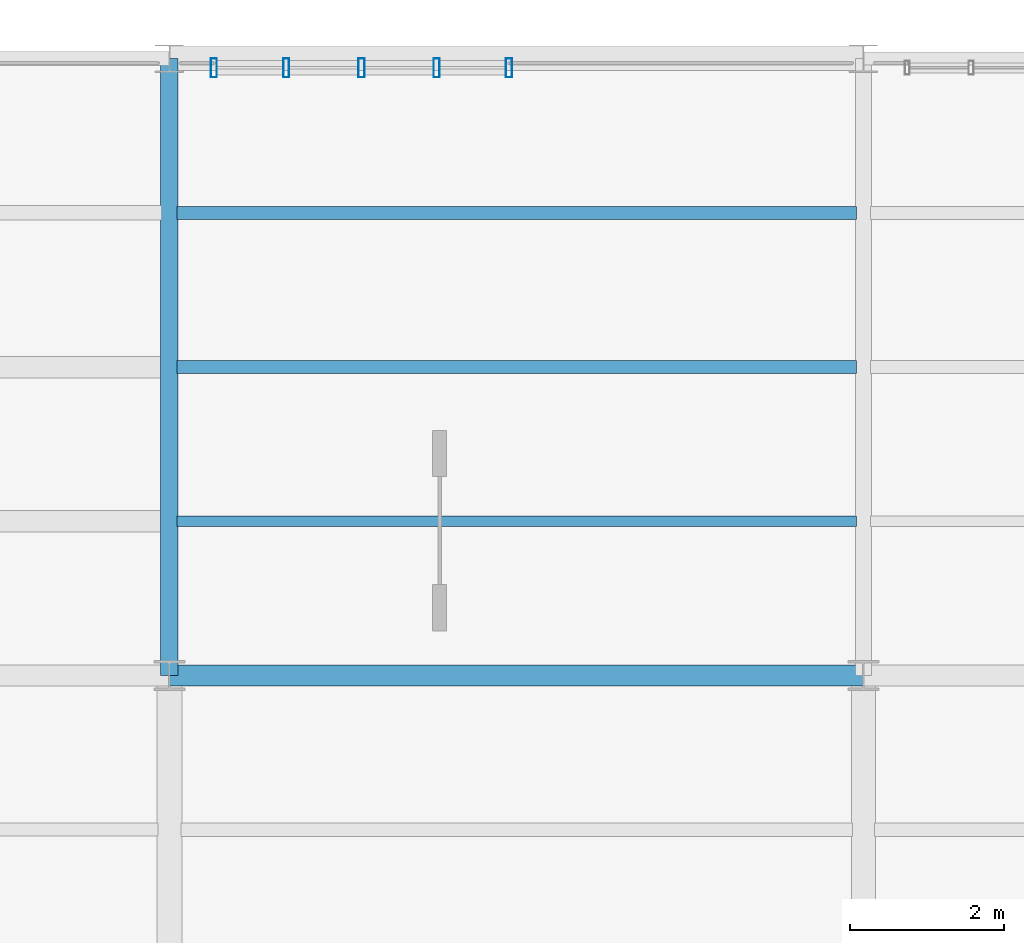
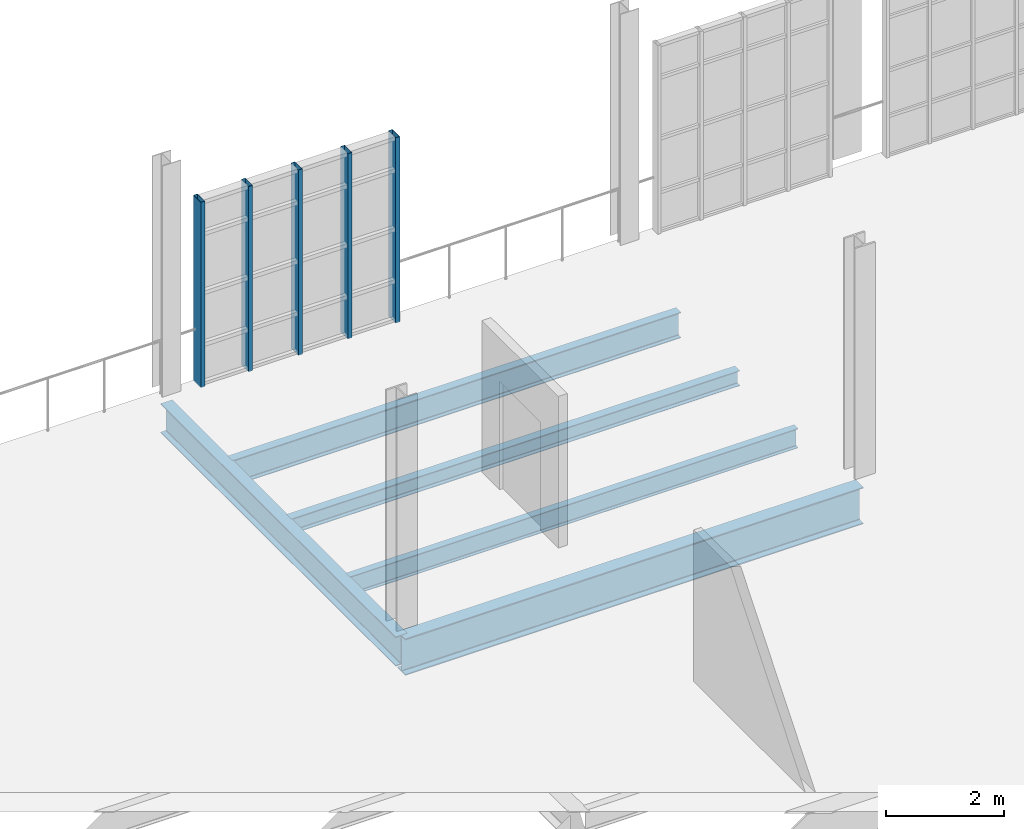
# One storey, part 66 of 118: 5 beams, 5 members, 1 element without a shape of its own.
"""IFC4 building model written with IfcOpenShell, lengths in metres."""

from ifc_helpers import new_model, si_unit, direction, frame, origin, origin_2d, place, context, subcontext, project, spatial, hollow_rectangle, i_section, extrude, material, layer, layer_set, material_profile, profile_set, type_object, element, aggregate, save


model = new_model("IFC4")

# Units and contexts
model_context = context("Model", 3, precision=1e-05, world=origin(), true_north=direction((0.0, 1.0)))
body_context = subcontext(model_context, "Body", "Model", "MODEL_VIEW")
ifc_project = project(units=[si_unit("LENGTHUNIT", "METRE"), si_unit("AREAUNIT", "SQUARE_METRE"), si_unit("VOLUMEUNIT", "CUBIC_METRE"), si_unit("PLANEANGLEUNIT", "RADIAN"), si_unit("MASSUNIT", "GRAM", prefix="KILO"), si_unit("THERMODYNAMICTEMPERATUREUNIT", "KELVIN"), si_unit("POWERUNIT", "WATT")], contexts=[model_context])

# Site, building, storey
site_placement = place(None, origin())
site = spatial("IfcSite", under=ifc_project, at=site_placement, CompositionType="ELEMENT")
building_placement = place(site_placement, origin())
building = spatial("IfcBuilding", under=site, at=building_placement, Name="Zelmaris Science Centre", CompositionType="ELEMENT")
storey_placement = place(building_placement, frame((0.0, 0.0, 15.60009765625)))
storey = spatial("IfcBuildingStorey", under=building, at=storey_placement, Name="L03", CompositionType="ELEMENT", Elevation=15.60009765625)

# Curtain wall, members
ifc_material_1 = material(Name="Anodised architectural aluminium 6063-T6", Category="aluminium")
ifc_layer = layer(ifc_material_1, 0.18994140625, Name="Anodised architectural aluminium 6063-T6")
ifc_layer_set = layer_set([ifc_layer], Name="Anodised architectural aluminium 6063-T6")
curtain_wall_type = type_object("IfcCurtainWallType", Name="Curtain Wall CW-01", PredefinedType="USERDEFINED", material=ifc_layer_set)
curtain_wall_placement = place(storey_placement, origin())
curtain_wall = element("IfcCurtainWall", 1, at=curtain_wall_placement, inside=storey, type_object=curtain_wall_type, Name="L03 Unitised curtain wall 285", ObjectType="GLAZED CURTAIN WALL", PredefinedType="USERDEFINED")
ifc_material_profile_1 = material_profile(ifc_material_1, hollow_rectangle(XDim=0.080078125, YDim=0.25, WallThickness=0.0048828125, at=origin_2d()), Name="ALU-MUL-80X250")
ifc_profile_set_1 = profile_set([ifc_material_profile_1], Name="Anodised architectural aluminium 6063-T6")
member_type = type_object("IfcMemberType", Name="ALU-MUL-80X250", PredefinedType="MULLION", material=ifc_profile_set_1)
member_1_placement = place(storey_placement, frame((81.575927734375, 87.8798828125, -0.01513671875), z_axis=(0.0, 0.0, 1.0), x_axis=(1.0, 0.0, 0.0)))
member_1 = element("IfcMember", 2, at=member_1_placement, type_object=member_type, Name="CW-01 mullion 1", PredefinedType="MULLION", context=body_context, shape_type="SweptSolid", body=[
    extrude(hollow_rectangle(XDim=0.080078125, YDim=0.25, WallThickness=0.0048828125, at=origin_2d()), origin(), (0.0, 0.0, 1.0), 3.85205078125),
])
member_2_placement = place(storey_placement, frame((82.514892578125, 87.8798828125, -0.01513671875), z_axis=(0.0, 0.0, 1.0), x_axis=(1.0, 0.0, 0.0)))
member_2 = element("IfcMember", 3, at=member_2_placement, type_object=member_type, Name="CW-01 mullion 2", PredefinedType="MULLION", context=body_context, shape_type="SweptSolid", body=[
    extrude(hollow_rectangle(XDim=0.080078125, YDim=0.25, WallThickness=0.0048828125, at=origin_2d()), origin(), (0.0, 0.0, 1.0), 3.85205078125),
])
member_3_placement = place(storey_placement, frame((83.489990234375, 87.8798828125, -0.01513671875), z_axis=(0.0, 0.0, 1.0), x_axis=(1.0, 0.0, 0.0)))
member_3 = element("IfcMember", 4, at=member_3_placement, type_object=member_type, Name="CW-01 mullion 3", PredefinedType="MULLION", context=body_context, shape_type="SweptSolid", body=[
    extrude(hollow_rectangle(XDim=0.080078125, YDim=0.25, WallThickness=0.0048828125, at=origin_2d()), origin(), (0.0, 0.0, 1.0), 3.85205078125),
])
member_4_placement = place(storey_placement, frame((84.465087890625, 87.8798828125, -0.01513671875), z_axis=(0.0, 0.0, 1.0), x_axis=(1.0, 0.0, 0.0)))
member_4 = element("IfcMember", 5, at=member_4_placement, type_object=member_type, Name="CW-01 mullion 4", PredefinedType="MULLION", context=body_context, shape_type="SweptSolid", body=[
    extrude(hollow_rectangle(XDim=0.080078125, YDim=0.25, WallThickness=0.0048828125, at=origin_2d()), origin(), (0.0, 0.0, 1.0), 3.85205078125),
])
member_5_placement = place(storey_placement, frame((85.404052734375, 87.8798828125, -0.01513671875), z_axis=(0.0, 0.0, 1.0), x_axis=(1.0, 0.0, 0.0)))
member_5 = element("IfcMember", 6, at=member_5_placement, type_object=member_type, Name="CW-01 mullion 5", PredefinedType="MULLION", context=body_context, shape_type="SweptSolid", body=[
    extrude(hollow_rectangle(XDim=0.080078125, YDim=0.25, WallThickness=0.0048828125, at=origin_2d()), origin(), (0.0, 0.0, 1.0), 3.85205078125),
])
aggregate(curtain_wall, [member_1, member_2, member_3, member_4, member_5])

# Beams
ifc_material_2 = material(Name="Steel ASTM A992 Grade 50", Category="steel")
ifc_material_profile_2 = material_profile(ifc_material_2, i_section(OverallWidth=0.22900390625, OverallDepth=0.612060546875, WebThickness=0.011962890625, FlangeThickness=0.01953125, FilletRadius=0.014892578125, at=origin_2d()), Name="W24X84")
ifc_profile_set_2 = profile_set([ifc_material_profile_2], Name="Steel ASTM A992 Grade 50")
beam_type_1 = type_object("IfcBeamType", Name="Beam G-16 W24X84", PredefinedType="BEAM", material=ifc_profile_set_2)
beam_1_placement = place(storey_placement, frame((81.0, 80.0, -0.566162109375), z_axis=(0.0, 1.0, 0.0), x_axis=(-1.0, 0.0, 0.0)))
element("IfcBeam", 7, at=beam_1_placement, inside=storey, type_object=beam_type_1, Name="L03 North-south girder 691", PredefinedType="BEAM", context=body_context, shape_type="SweptSolid", body=[
    extrude(i_section(OverallWidth=0.22900390625, OverallDepth=0.612060546875, WebThickness=0.011962890625, FlangeThickness=0.01953125, FilletRadius=0.014892578125, at=origin_2d()), origin(), (0.0, 0.0, 1.0), 8.0),
])
ifc_material_profile_3 = material_profile(ifc_material_2, i_section(OverallWidth=0.26708984375, OverallDepth=0.761962890625, WebThickness=0.014404296875, FlangeThickness=0.021484375, FilletRadius=0.01904296875, at=origin_2d()), Name="W30X116")
ifc_profile_set_3 = profile_set([ifc_material_profile_3], Name="Steel ASTM A992 Grade 50")
beam_type_2 = type_object("IfcBeamType", Name="Beam G-33 W30X116", PredefinedType="BEAM", material=ifc_profile_set_3)
beam_2_placement = place(storey_placement, frame((81.0, 80.0, -0.64111328125), z_axis=(1.0, 0.0, 0.0), x_axis=(0.0, 1.0, 0.0)))
element("IfcBeam", 8, at=beam_2_placement, inside=storey, type_object=beam_type_2, Name="L03 East-west girder 766", PredefinedType="BEAM", context=body_context, shape_type="SweptSolid", body=[
    extrude(i_section(OverallWidth=0.26708984375, OverallDepth=0.761962890625, WebThickness=0.014404296875, FlangeThickness=0.021484375, FilletRadius=0.01904296875, at=origin_2d()), origin(), (0.0, 0.0, 1.0), 9.0),
])
ifc_material_profile_4 = material_profile(ifc_material_2, i_section(OverallWidth=0.16796875, OverallDepth=0.532958984375, WebThickness=0.01025390625, FlangeThickness=0.0166015625, FilletRadius=0.013916015625, at=origin_2d()), Name="W21X57")
ifc_profile_set_4 = profile_set([ifc_material_profile_4], Name="Steel ASTM A992 Grade 50")
beam_type_3 = type_object("IfcBeamType", Name="Beam J-01 W21X57", PredefinedType="JOIST", material=ifc_profile_set_4)
beam_3_placement = place(storey_placement, frame((81.099609375, 86.0, -0.526611328125), z_axis=(1.0, 0.0, 0.0), x_axis=(0.0, 1.0, 0.0)))
element("IfcBeam", 9, at=beam_3_placement, inside=storey, type_object=beam_type_3, Name="L03 Composite floor joist 333", PredefinedType="JOIST", context=body_context, shape_type="SweptSolid", body=[
    extrude(i_section(OverallWidth=0.16796875, OverallDepth=0.532958984375, WebThickness=0.01025390625, FlangeThickness=0.0166015625, FilletRadius=0.013916015625, at=origin_2d()), origin(), (0.0, 0.0, 1.0), 8.809814453125),
])
ifc_material_profile_5 = material_profile(ifc_material_2, i_section(OverallWidth=0.139892578125, OverallDepth=0.404052734375, WebThickness=0.007080078125, FlangeThickness=0.01123046875, FilletRadius=0.011962890625, at=origin_2d()), Name="W16X31")
ifc_profile_set_5 = profile_set([ifc_material_profile_5], Name="Steel ASTM A992 Grade 50")
beam_type_4 = type_object("IfcBeamType", Name="Beam J-08 W16X31", PredefinedType="JOIST", material=ifc_profile_set_5)
beam_4_placement = place(storey_placement, frame((81.099609375, 82.0, -0.462158203125), z_axis=(1.0, 0.0, 0.0), x_axis=(0.0, 1.0, 0.0)))
element("IfcBeam", 10, at=beam_4_placement, inside=storey, type_object=beam_type_4, Name="L03 Composite floor joist 331", PredefinedType="JOIST", context=body_context, shape_type="SweptSolid", body=[
    extrude(i_section(OverallWidth=0.139892578125, OverallDepth=0.404052734375, WebThickness=0.007080078125, FlangeThickness=0.01123046875, FilletRadius=0.011962890625, at=origin_2d()), origin(), (0.0, 0.0, 1.0), 8.809814453125),
])
ifc_material_profile_6 = material_profile(ifc_material_2, i_section(OverallWidth=0.1669921875, OverallDepth=0.318115234375, WebThickness=0.007568359375, FlangeThickness=0.01318359375, FilletRadius=0.011962890625, at=origin_2d()), Name="W12X35")
ifc_profile_set_6 = profile_set([ifc_material_profile_6], Name="Steel ASTM A992 Grade 50")
beam_type_5 = type_object("IfcBeamType", Name="Beam J-09 W12X35", PredefinedType="JOIST", material=ifc_profile_set_6)
beam_5_placement = place(storey_placement, frame((81.099609375, 84.0, -0.419189453125), z_axis=(1.0, 0.0, 0.0), x_axis=(0.0, 1.0, 0.0)))
element("IfcBeam", 11, at=beam_5_placement, inside=storey, type_object=beam_type_5, Name="L03 Composite floor joist 332", PredefinedType="JOIST", context=body_context, shape_type="SweptSolid", body=[
    extrude(i_section(OverallWidth=0.1669921875, OverallDepth=0.318115234375, WebThickness=0.007568359375, FlangeThickness=0.01318359375, FilletRadius=0.011962890625, at=origin_2d()), origin(), (0.0, 0.0, 1.0), 8.809814453125),
])

save(model, "model.ifc")
